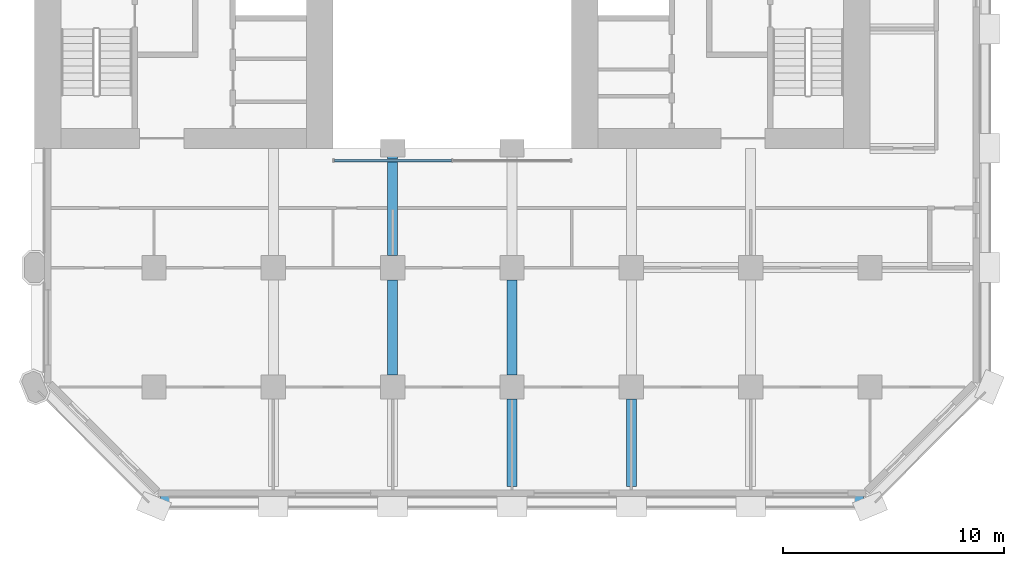
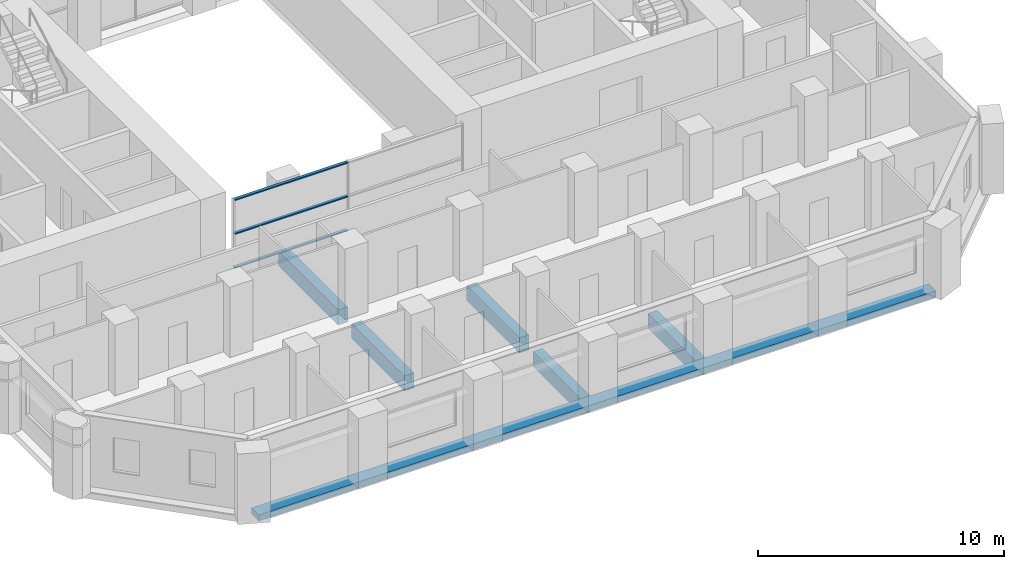
# One storey, part 3 of 14: 6 beams, 3 members, 1 element without a shape of its own.
"""IFC4 building model written with IfcOpenShell, lengths in metres."""

from ifc_helpers import new_model, si_unit, direction, frame, origin, origin_2d, place, context, subcontext, project, spatial, rectangle, extrude, material, material_profile, profile_set, type_object, element, aggregate, save


model = new_model("IFC4")

# Units and contexts
model_context = context("Model", 3, precision=1e-05, world=origin(), true_north=direction((0.0, 1.0)))
body_context = subcontext(model_context, "Body", "Model", "MODEL_VIEW")
ifc_project = project(units=[si_unit("LENGTHUNIT", "METRE"), si_unit("AREAUNIT", "SQUARE_METRE"), si_unit("VOLUMEUNIT", "CUBIC_METRE"), si_unit("PLANEANGLEUNIT", "RADIAN"), si_unit("MASSUNIT", "GRAM", prefix="KILO")], contexts=[model_context])

# Site, building, storey
site_placement = place(None, origin())
site = spatial("IfcSite", under=ifc_project, at=site_placement, CompositionType="ELEMENT")
building_placement = place(site_placement, origin())
building = spatial("IfcBuilding", under=site, at=building_placement, Name="Tabaq Tower and Sports Hall", CompositionType="ELEMENT")
storey_placement = place(building_placement, frame((0.0, 0.0, 52.60009765625)))
storey = spatial("IfcBuildingStorey", under=building, at=storey_placement, Name="L11", CompositionType="ELEMENT", Elevation=52.60009765625)

# Curtain wall, members
ifc_material_1 = material(Name="Aluminium alloy 6063-T6 framed glazing", Category="aluminium")
curtain_wall_type = type_object("IfcCurtainWallType", Name="CW1 curtain wall", PredefinedType="USERDEFINED", material=ifc_material_1)
curtain_wall_placement = place(storey_placement, origin())
curtain_wall = element("IfcCurtainWall", 1, at=curtain_wall_placement, inside=storey, type_object=curtain_wall_type, Name="Atrium glazing L11 S", ObjectType="ATRIUM ENCLOSURE", PredefinedType="USERDEFINED")
ifc_material_2 = material(Name="Aluminium alloy 6063-T6", Category="aluminium")
ifc_material_profile_1 = material_profile(ifc_material_2, rectangle(XDim=0.139892578125, YDim=0.06005859375, at=origin_2d()), Name="TRANSOM 140x60")
ifc_profile_set_1 = profile_set([ifc_material_profile_1], Name="Aluminium alloy 6063-T6")
member_type = type_object("IfcMemberType", Name="CW1 transom 140x60", PredefinedType="USERDEFINED", material=ifc_profile_set_1)
member_1_placement = place(storey_placement, frame((18.9599609375, 15.64990234375, 0.06982421875), z_axis=(1.0, 0.0, 0.0), x_axis=(0.0, 1.0, 0.0)))
member_1 = element("IfcMember", 2, at=member_1_placement, type_object=member_type, Name="CW1 transom 1.1", ObjectType="TRANSOM", PredefinedType="USERDEFINED", context=body_context, shape_type="SweptSolid", body=[
    extrude(rectangle(XDim=0.139892578125, YDim=0.06005859375, at=origin_2d()), origin(), (0.0, 0.0, 1.0), 5.31005859375),
])
member_2_placement = place(storey_placement, frame((18.9599609375, 15.64990234375, 1.75), z_axis=(1.0, 0.0, 0.0), x_axis=(0.0, 1.0, 0.0)))
member_2 = element("IfcMember", 3, at=member_2_placement, type_object=member_type, Name="CW1 transom 1.2", ObjectType="TRANSOM", PredefinedType="USERDEFINED", context=body_context, shape_type="SweptSolid", body=[
    extrude(rectangle(XDim=0.139892578125, YDim=0.06005859375, at=origin_2d()), origin(), (0.0, 0.0, 1.0), 5.31005859375),
])
member_3_placement = place(storey_placement, frame((18.9599609375, 15.64990234375, 3.429931640625), z_axis=(1.0, 0.0, 0.0), x_axis=(0.0, 1.0, 0.0)))
member_3 = element("IfcMember", 4, at=member_3_placement, type_object=member_type, Name="CW1 transom 1.3", ObjectType="TRANSOM", PredefinedType="USERDEFINED", context=body_context, shape_type="SweptSolid", body=[
    extrude(rectangle(XDim=0.139892578125, YDim=0.06005859375, at=origin_2d()), origin(), (0.0, 0.0, 1.0), 5.31005859375),
])
aggregate(curtain_wall, [member_1, member_2, member_3])

# Beams
ifc_material_3 = material(Name="Concrete C40/50", Category="concrete")
ifc_material_profile_2 = material_profile(ifc_material_3, rectangle(XDim=0.449951171875, YDim=0.75, at=origin_2d()), Name="CB 450x750")
ifc_profile_set_2 = profile_set([ifc_material_profile_2], Name="Concrete C40/50")
beam_type_1 = type_object("IfcBeamType", Name="PT CANTILEVER BEAM CB 450x750 C40/50", PredefinedType="BEAM", material=ifc_profile_set_2)
beam_1_placement = place(storey_placement, frame((21.60009765625, 5.949951171875, -0.675048828125), z_axis=(0.0, 1.0, 0.0), x_axis=(-1.0, 0.0, 0.0)))
element("IfcBeam", 5, at=beam_1_placement, inside=storey, type_object=beam_type_1, Name="Cantilever Beam L11 S4 span 2", PredefinedType="BEAM", context=body_context, shape_type="SweptSolid", body=[
    extrude(rectangle(XDim=0.449951171875, YDim=0.75, at=origin_2d()), origin(), (0.0, 0.0, 1.0), 4.300048828125),
])
beam_2_placement = place(storey_placement, frame((21.60009765625, 11.35009765625, -0.675048828125), z_axis=(0.0, 1.0, 0.0), x_axis=(-1.0, 0.0, 0.0)))
element("IfcBeam", 6, at=beam_2_placement, inside=storey, type_object=beam_type_1, Name="Cantilever Beam L11 S4 span 3", PredefinedType="BEAM", context=body_context, shape_type="SweptSolid", body=[
    extrude(rectangle(XDim=0.449951171875, YDim=0.75, at=origin_2d()), origin(), (0.0, 0.0, 1.0), 4.849853515625),
])
beam_3_placement = place(storey_placement, frame((27.0, 0.89990234375, -0.675048828125), z_axis=(0.0, 1.0, 0.0), x_axis=(-1.0, 0.0, 0.0)))
element("IfcBeam", 7, at=beam_3_placement, inside=storey, type_object=beam_type_1, Name="Cantilever Beam L11 S5 span 1", PredefinedType="BEAM", context=body_context, shape_type="SweptSolid", body=[
    extrude(rectangle(XDim=0.449951171875, YDim=0.75, at=origin_2d()), origin(), (0.0, 0.0, 1.0), 3.9501953125),
])
beam_4_placement = place(storey_placement, frame((27.0, 5.949951171875, -0.675048828125), z_axis=(0.0, 1.0, 0.0), x_axis=(-1.0, 0.0, 0.0)))
element("IfcBeam", 8, at=beam_4_placement, inside=storey, type_object=beam_type_1, Name="Cantilever Beam L11 S5 span 2", PredefinedType="BEAM", context=body_context, shape_type="SweptSolid", body=[
    extrude(rectangle(XDim=0.449951171875, YDim=0.75, at=origin_2d()), origin(), (0.0, 0.0, 1.0), 4.300048828125),
])
beam_5_placement = place(storey_placement, frame((32.39990234375, 0.89990234375, -0.675048828125), z_axis=(0.0, 1.0, 0.0), x_axis=(-1.0, 0.0, 0.0)))
element("IfcBeam", 9, at=beam_5_placement, inside=storey, type_object=beam_type_1, Name="Cantilever Beam L11 S6 span 1", PredefinedType="BEAM", context=body_context, shape_type="SweptSolid", body=[
    extrude(rectangle(XDim=0.449951171875, YDim=0.75, at=origin_2d()), origin(), (0.0, 0.0, 1.0), 3.9501953125),
])
ifc_material_4 = material(Name="Concrete C40/50", Category="concrete")
ifc_material_profile_3 = material_profile(ifc_material_4, rectangle(XDim=0.60009765625, YDim=0.300048828125, at=origin_2d()), Name="EB 600x300")
ifc_profile_set_3 = profile_set([ifc_material_profile_3], Name="Concrete C40/50")
beam_type_2 = type_object("IfcBeamType", Name="PT EDGE BEAM EB 600x300 C40/50", PredefinedType="SPANDREL", material=ifc_profile_set_3)
beam_6_placement = place(storey_placement, frame((11.0986328125, 0.300048828125, -0.150146484375), z_axis=(1.0, 0.0, 0.0), x_axis=(0.0, 1.0, 0.0)))
element("IfcBeam", 10, at=beam_6_placement, inside=storey, type_object=beam_type_2, Name="Edge Beam L11 1", PredefinedType="SPANDREL", context=body_context, shape_type="SweptSolid", body=[
    extrude(rectangle(XDim=0.60009765625, YDim=0.300048828125, at=origin_2d()), origin(), (0.0, 0.0, 1.0), 31.802734375),
])

save(model, "model.ifc")
